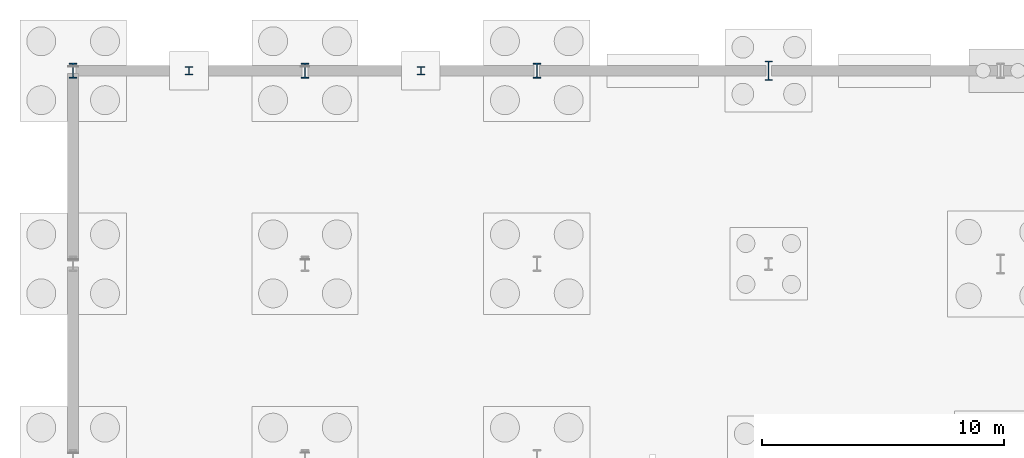
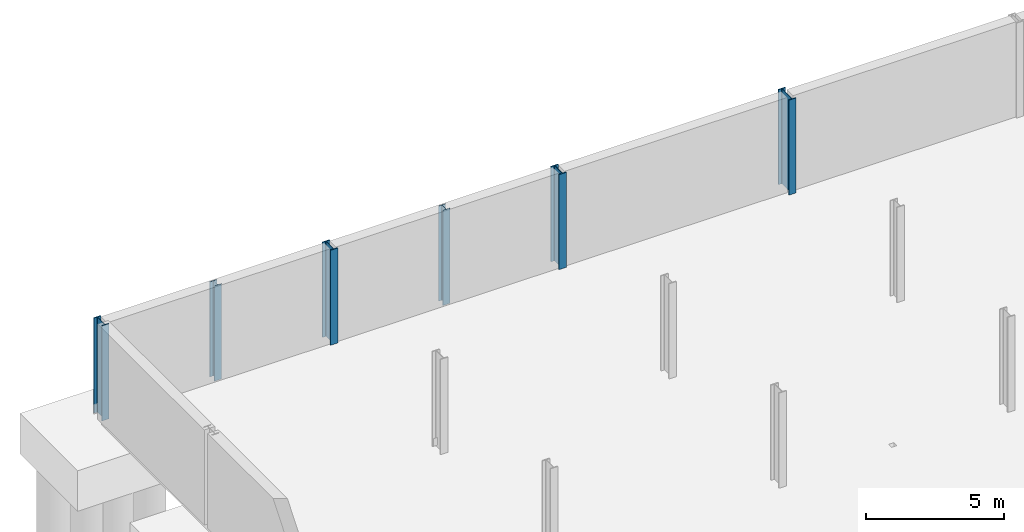
# One storey, part 22 of 47: 6 columns.
"""IFC4 building model written with IfcOpenShell, lengths in metres."""

import ifcopenshell
import ifcopenshell.guid

model = None  # the IFC model being written
_history = None  # IfcOwnerHistory: only IFC2X3 demands one
_inside = {}  # id of a spatial element -> (the spatial element, [elements in it])
_under = {}  # id of a project, library or spatial element -> (it, [spatial elements below it])
_declared = {}  # id of a project -> (the project, [libraries it declares])
_typed = {}  # id of a type object -> (the type object, [elements of that type])
_made_of = {}  # id of a material, layer set ... -> (it, [elements and type objects made of it])


def new_model(schema):
    """Start an empty IFC model of exactly this schema.

    Asked for "IFC4X3", IfcOpenShell would pick the latest addendum, in which some entities
    have other attributes; the version numbers below select the first issue.
    IFC2X3 requires an IfcOwnerHistory on every rooted entity: one is made here for all.
    """
    global model, _history
    if schema == "IFC4X3":
        model = ifcopenshell.file(schema_version=(4, 3, 0, 0))
    else:
        model = ifcopenshell.file(schema=schema)
    _inside.clear()
    _under.clear()
    _declared.clear()
    _typed.clear()
    _made_of.clear()
    _history = None
    if model.schema == "IFC2X3":
        org = make("IfcOrganization", Name="unknown")
        user = make(
            "IfcPersonAndOrganization",
            ThePerson=make("IfcPerson", FamilyName="unknown"),
            TheOrganization=org,
        )
        app = make(
            "IfcApplication",
            ApplicationDeveloper=org,
            Version="unknown",
            ApplicationFullName="unknown",
            ApplicationIdentifier="unknown",
        )
        _history = make(
            "IfcOwnerHistory",
            OwningUser=user,
            OwningApplication=app,
            ChangeAction="ADDED",
            CreationDate=0,
        )
    return model


def make(cls, **values):
    """One entity of the class cls with the attributes given. An attribute that is None is left unset."""
    return model.create_entity(
        cls, **{name: value for name, value in values.items() if value is not None}
    )


def rooted(cls, **values):
    """An entity with a GlobalId (a new one), such as an element, a storey or a relation."""
    return make(cls, GlobalId=ifcopenshell.guid.new(), OwnerHistory=_history, **values)


def si_unit(unit_type, name, prefix=None):
    """IfcSIUnit, for example si_unit("LENGTHUNIT", "METRE", prefix="MILLI")."""
    return make("IfcSIUnit", UnitType=unit_type, Prefix=prefix, Name=name)


def assignment(units):
    """IfcUnitAssignment: the units of a project."""
    return None if units is None else make("IfcUnitAssignment", Units=units)


def point(xyz):
    """IfcCartesianPoint."""
    return None if xyz is None else make("IfcCartesianPoint", Coordinates=xyz)


def direction(xyz):
    """IfcDirection."""
    return None if xyz is None else make("IfcDirection", DirectionRatios=xyz)


def frame(location, z_axis=None, x_axis=None):
    """IfcAxis2Placement3D, a coordinate frame: its origin and axes. An axis left out is left unset."""
    return make(
        "IfcAxis2Placement3D",
        Location=point(location),
        Axis=direction(z_axis),
        RefDirection=direction(x_axis),
    )


def frame_2d(location, x_axis=None):
    """IfcAxis2Placement2D, a coordinate frame in the plane: its origin and x axis."""
    return make(
        "IfcAxis2Placement2D", Location=point(location), RefDirection=direction(x_axis)
    )


def origin():
    """The frame at (0, 0, 0) with its axes left unset."""
    return frame((0.0, 0.0, 0.0))


def origin_2d():
    """The frame at (0, 0) in the plane with its x axis left unset."""
    return frame_2d((0.0, 0.0))


def place(relative_to, where):
    """IfcLocalPlacement: puts the frame where relative to a parent placement (None: the world)."""
    return make(
        "IfcLocalPlacement", PlacementRelTo=relative_to, RelativePlacement=where
    )


def context(
    kind, dimensions, precision=None, world=None, true_north=None, identifier=None
):
    """IfcGeometricRepresentationContext, for example the 3D "Model" context."""
    return make(
        "IfcGeometricRepresentationContext",
        ContextIdentifier=identifier,
        ContextType=kind,
        CoordinateSpaceDimension=dimensions,
        Precision=precision,
        WorldCoordinateSystem=world,
        TrueNorth=true_north,
    )


def subcontext(parent, identifier, kind, view, scale=None):
    """IfcGeometricRepresentationSubContext, for example "Body" below "Model"."""
    return make(
        "IfcGeometricRepresentationSubContext",
        ContextIdentifier=identifier,
        ContextType=kind,
        ParentContext=parent,
        TargetScale=scale,
        TargetView=view,
    )


def project(units=None, contexts=None):
    """IfcProject with its units and contexts."""
    return rooted(
        "IfcProject",
        Name="project",
        RepresentationContexts=contexts,
        UnitsInContext=assignment(units),
    )


def spatial(cls, under=None, at=None, **own):
    """A site, building, storey or space (cls), placed at a placement, below another one or the project."""
    s = rooted(cls, ObjectPlacement=at, **own)
    if under is not None:
        _under.setdefault(under.id(), (under, []))[1].append(s)
    return s


def profile(cls, at=None, kind="AREA", **sizes):
    """A parametric profile (cls). Its sizes go by their IFC names, for example OverallWidth=200.0."""
    return make(cls, ProfileType=kind, Position=at, **sizes)


def i_section(**sizes):
    """IfcIShapeProfileDef."""
    return profile("IfcIShapeProfileDef", **sizes)


def extrude(swept, where, along, depth):
    """IfcExtrudedAreaSolid: the profile swept, set in the frame where, extruded along a direction by depth."""
    return make(
        "IfcExtrudedAreaSolid",
        SweptArea=swept,
        Position=where,
        ExtrudedDirection=direction(along),
        Depth=depth,
    )


def shape(context_of_items, identifier, shape_type, items):
    """IfcShapeRepresentation: the items that make up one representation, for example the "Body"."""
    return make(
        "IfcShapeRepresentation",
        ContextOfItems=context_of_items,
        RepresentationIdentifier=identifier,
        RepresentationType=shape_type,
        Items=items,
    )


def material(Name=None, Category=None):
    """IfcMaterial."""
    return make("IfcMaterial", Name=Name, Category=Category)


def material_profile(
    of_material, cross_section, Name=None, Category=None, Priority=None
):
    """IfcMaterialProfile: a cross section and its material."""
    return make(
        "IfcMaterialProfile",
        Name=Name,
        Material=of_material,
        Profile=cross_section,
        Priority=Priority,
        Category=Category,
    )


def profile_set(profiles, Name=None, composite=None):
    """IfcMaterialProfileSet."""
    return make(
        "IfcMaterialProfileSet",
        Name=Name,
        MaterialProfiles=profiles,
        CompositeProfile=composite,
    )


def made_of(thing, what):
    """Note that an element or type object is made of a material, layer set ...; save() writes the relation."""
    if what is not None:
        _made_of.setdefault(what.id(), (what, []))[1].append(thing)
    return thing


def type_object(cls, material=None, **own):
    """A type object (cls), such as IfcWallType, which elements share."""
    return made_of(rooted(cls, **own), material)


def element(
    cls,
    number,
    at=None,
    inside=None,
    cuts=None,
    type_object=None,
    material=None,
    context=None,
    identifier="Body",
    shape_type=None,
    held_by="IfcProductDefinitionShape",
    body=None,
    shapes=None,
    **own,
):
    """One element of the class cls, such as IfcWall. Its Tag is "e" and its number.

    at: its placement. inside: the storey or other place that contains it. cuts: it is an
    opening in that element (IfcRelVoidsElement). A single representation is given by context,
    identifier, shape_type and body (its items); several are given by shapes. held_by: the class
    of the entity that holds the representations. save() writes the other relations.
    """
    e = rooted(cls, Tag="e%d" % number, ObjectPlacement=at, **own)
    if body is not None:
        shapes = [shape(context, identifier, shape_type, body)]
    if shapes is not None:
        e.Representation = make(held_by, Representations=shapes)
    if inside is not None:
        _inside.setdefault(inside.id(), (inside, []))[1].append(e)
    if cuts is not None:
        rooted(
            "IfcRelVoidsElement", RelatingBuildingElement=cuts, RelatedOpeningElement=e
        )
    if type_object is not None:
        _typed.setdefault(type_object.id(), (type_object, []))[1].append(e)
    return made_of(e, material)


def aggregate(whole, parts):
    """IfcRelAggregates: a whole, such as a stair, and the parts it consists of."""
    return rooted("IfcRelAggregates", RelatingObject=whole, RelatedObjects=parts)


def save(model, path):
    """Write the relations noted so far, then the file.

    IfcRelAggregates (storeys below a building ...), IfcRelContainedInSpatialStructure (elements
    in a storey), IfcRelDefinesByType, IfcRelAssociatesMaterial and IfcRelDeclares: one each for
    every whole, place, type object, material and project.
    """
    for whole, parts in _under.values():
        aggregate(whole, parts)
    for where, things in _inside.values():
        rooted(
            "IfcRelContainedInSpatialStructure",
            RelatedElements=things,
            RelatingStructure=where,
        )
    for kind, things in _typed.values():
        rooted("IfcRelDefinesByType", RelatedObjects=things, RelatingType=kind)
    for what, things in _made_of.values():
        rooted("IfcRelAssociatesMaterial", RelatedObjects=things, RelatingMaterial=what)
    for by, libraries in _declared.values():
        rooted("IfcRelDeclares", RelatingContext=by, RelatedDefinitions=libraries)
    model.write(path)


model = new_model("IFC4")

# Units and contexts
model_context = context("Model", 3, precision=1e-05, world=origin(), true_north=direction((0.0, 1.0)))
body_context = subcontext(model_context, "Body", "Model", "MODEL_VIEW")
ifc_project = project(units=[si_unit("LENGTHUNIT", "METRE"), si_unit("AREAUNIT", "SQUARE_METRE"), si_unit("VOLUMEUNIT", "CUBIC_METRE"), si_unit("PLANEANGLEUNIT", "RADIAN"), si_unit("MASSUNIT", "GRAM", prefix="KILO")], contexts=[model_context])

# Site, building, storey
site_placement = place(None, origin())
site = spatial("IfcSite", under=ifc_project, at=site_placement, CompositionType="ELEMENT")
building_placement = place(site_placement, origin())
building = spatial("IfcBuilding", under=site, at=building_placement, Name="Alderhovde Museum", CompositionType="ELEMENT")
storey_placement = place(building_placement, frame((0.0, 0.0, -4.5)))
storey = spatial("IfcBuildingStorey", under=building, at=storey_placement, Name="B1", CompositionType="ELEMENT", Elevation=-4.5)

# Columns
ifc_material_1 = material(Name="Steel S355J2", Category="steel")
ifc_material_profile_1 = material_profile(ifc_material_1, i_section(OverallWidth=0.300048828125, OverallDepth=0.800048828125, WebThickness=0.017578125, FlangeThickness=0.032958984375, FilletRadius=0.030029296875, at=origin_2d()), Name="HEB 800")
ifc_profile_set_1 = profile_set([ifc_material_profile_1], Name="Steel S355J2")
column_type_1 = type_object("IfcColumnType", Name="COL-HEB800", PredefinedType="COLUMN", material=ifc_profile_set_1)
column_placement = place(storey_placement, frame((38.39990234375, 112.0, 0.0), z_axis=(0.0, 0.0, 1.0), x_axis=(1.0, 0.0, 0.0)))
element("IfcColumn", 1, at=column_placement, inside=storey, type_object=column_type_1, Name="B1 Column (38.4, 112.0)", PredefinedType="COLUMN", context=body_context, shape_type="SweptSolid", body=[
    extrude(i_section(OverallWidth=0.300048828125, OverallDepth=0.800048828125, WebThickness=0.017578125, FlangeThickness=0.032958984375, FilletRadius=0.030029296875, at=origin_2d()), origin(), (0.0, 0.0, 1.0), 4.219970703125),
])
ifc_material_2 = material(Name="Steel S355J2", Category="steel")
ifc_material_profile_2 = material_profile(ifc_material_2, i_section(OverallWidth=0.304931640625, OverallDepth=0.6201171875, WebThickness=0.02099609375, FlangeThickness=0.0400390625, FilletRadius=0.027099609375, at=origin_2d()), Name="HEM 600")
ifc_profile_set_2 = profile_set([ifc_material_profile_2], Name="Steel S355J2")
column_type_2 = type_object("IfcColumnType", Name="COL-HEM600", PredefinedType="COLUMN", material=ifc_profile_set_2)
for number, where, z_axis, x_axis, name in (
    (2, (9.60009765625, 112.0, 0.0), (0.0, 0.0, 1.0), (1.0, 0.0, 0.0), "B1 Column (9.6, 112.0)"),
    (3, (19.199951171875, 112.0, 0.0), (0.0, 0.0, 1.0), (1.0, 0.0, 0.0), "B1 Column (19.2, 112.0)"),
    (4, (28.800048828125, 112.0, 0.0), (0.0, 0.0, 1.0), (1.0, 0.0, 0.0), "B1 Column (28.8, 112.0)"),
):
    element("IfcColumn", number, at=place(storey_placement, frame(where, z_axis=z_axis, x_axis=x_axis)), inside=storey, type_object=column_type_2, Name=name, PredefinedType="COLUMN", context=body_context, shape_type="SweptSolid", body=[
        extrude(i_section(OverallWidth=0.304931640625, OverallDepth=0.6201171875, WebThickness=0.02099609375, FlangeThickness=0.0400390625, FilletRadius=0.027099609375, at=origin_2d()), origin(), (0.0, 0.0, 1.0), 4.219970703125),
    ])
ifc_material_3 = material(Name="Steel S355J2", Category="steel")
ifc_material_profile_3 = material_profile(ifc_material_3, i_section(OverallWidth=0.300048828125, OverallDepth=0.330078125, WebThickness=0.009521484375, FlangeThickness=0.0166015625, FilletRadius=0.027099609375, at=origin_2d()), Name="HEA 340")
ifc_profile_set_3 = profile_set([ifc_material_profile_3], Name="Steel S355J2")
column_type_3 = type_object("IfcColumnType", Name="PIL-HEA340", PredefinedType="PILASTER", material=ifc_profile_set_3)
for number, where, z_axis, x_axis, name in (
    (5, (14.39990234375, 112.0, 0.0), (0.0, 0.0, 1.0), (1.0, 0.0, 0.0), "B1 Structural Pilaster (14.4, 112.0)"),
    (6, (24.0, 112.0, 0.0), (0.0, 0.0, 1.0), (1.0, 0.0, 0.0), "B1 Structural Pilaster (24.0, 112.0)"),
):
    element("IfcColumn", number, at=place(storey_placement, frame(where, z_axis=z_axis, x_axis=x_axis)), inside=storey, type_object=column_type_3, Name=name, PredefinedType="PILASTER", context=body_context, shape_type="SweptSolid", body=[
        extrude(i_section(OverallWidth=0.300048828125, OverallDepth=0.330078125, WebThickness=0.009521484375, FlangeThickness=0.0166015625, FilletRadius=0.027099609375, at=origin_2d()), origin(), (0.0, 0.0, 1.0), 4.219970703125),
    ])

save(model, "model.ifc")
